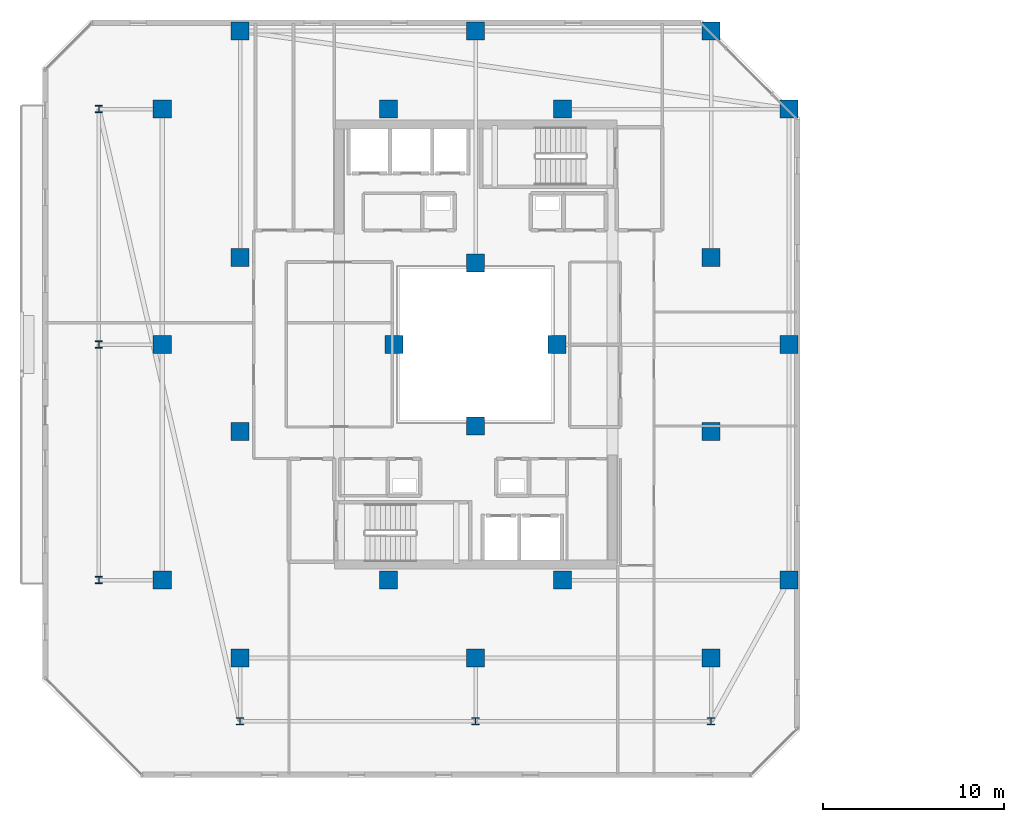
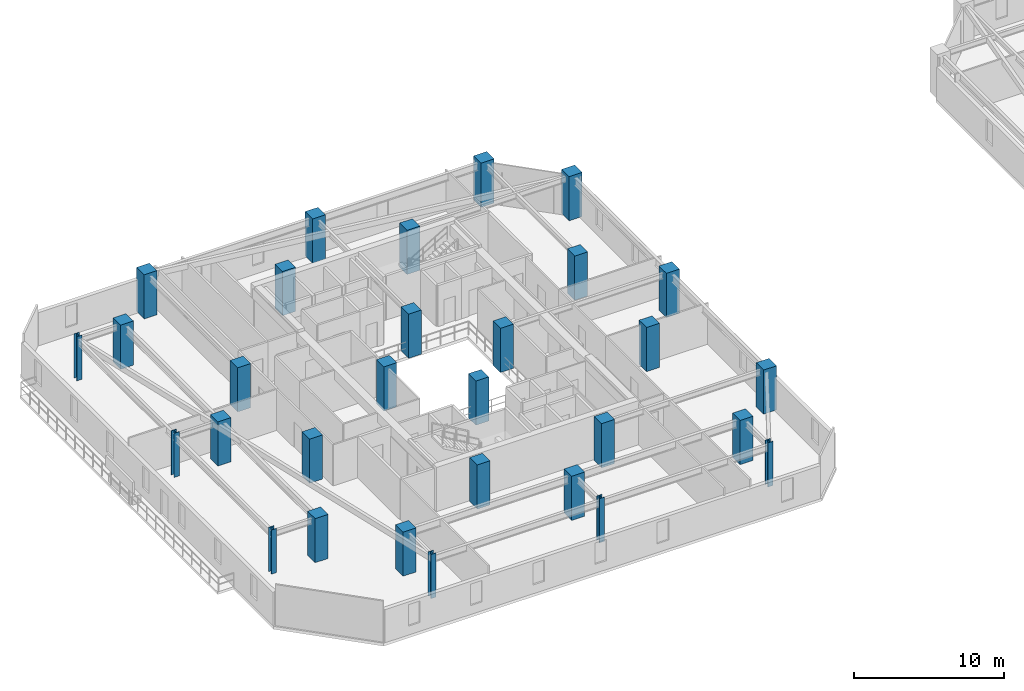
# One storey, part 1 of 32: 30 columns.
"""IFC4 building model written with IfcOpenShell, lengths in metres."""

from ifc_helpers import new_model, si_unit, direction, frame, origin, origin_2d, place, context, subcontext, project, spatial, rectangle, i_section, extrude, material, material_profile, profile_set, type_object, element, save


model = new_model("IFC4")

# Units and contexts
model_context = context("Model", 3, precision=1e-05, world=origin(), true_north=direction((0.0, 1.0)))
body_context = subcontext(model_context, "Body", "Model", "MODEL_VIEW")
ifc_project = project(units=[si_unit("LENGTHUNIT", "METRE"), si_unit("AREAUNIT", "SQUARE_METRE"), si_unit("VOLUMEUNIT", "CUBIC_METRE"), si_unit("PLANEANGLEUNIT", "RADIAN"), si_unit("MASSUNIT", "GRAM", prefix="KILO")], contexts=[model_context])

# Site, building, storey
site_placement = place(None, origin())
site = spatial("IfcSite", under=ifc_project, at=site_placement, CompositionType="ELEMENT")
building_placement = place(site_placement, origin())
building = spatial("IfcBuilding", under=site, at=building_placement, Name="Thornwick Lancets Civic Towers", CompositionType="ELEMENT")
storey_placement = place(building_placement, frame((0.0, 0.0, 240.300048828125)))
storey = spatial("IfcBuildingStorey", under=building, at=storey_placement, Name="L64", CompositionType="ELEMENT", Elevation=240.300048828125)

# Columns
ifc_material_1 = material(Name="Concrete C50/60", Category="concrete")
ifc_material_profile_1 = material_profile(ifc_material_1, rectangle(XDim=1.0, YDim=1.0, at=origin_2d()), Name="RC 1000x1000")
ifc_profile_set_1 = profile_set([ifc_material_profile_1], Name="Concrete C50/60")
column_type_1 = type_object("IfcColumnType", Name="COL_RC_1000", PredefinedType="COLUMN", material=ifc_profile_set_1)
for number, where, z_axis, x_axis, name in (
    (1, (12.5, 9.699951171875, 0.0), (0.0, 0.0, 1.0), (1.0, 0.0, 0.0), "L64 Spine Mega-Column A01"),
    (2, (25.5, 9.699951171875, 0.0), (0.0, 0.0, 1.0), (1.0, 0.0, 0.0), "L64 Spine Mega-Column A02"),
    (3, (38.5, 9.699951171875, 0.0), (0.0, 0.0, 1.0), (1.0, 0.0, 0.0), "L64 Spine Mega-Column A03"),
    (4, (42.800048828125, 14.0, 0.0), (0.0, 0.0, 1.0), (1.0, 0.0, 0.0), "L64 Spine Mega-Column A04"),
    (5, (42.800048828125, 27.0, 0.0), (0.0, 0.0, 1.0), (1.0, 0.0, 0.0), "L64 Spine Mega-Column A05"),
    (6, (42.800048828125, 40.0, 0.0), (0.0, 0.0, 1.0), (1.0, 0.0, 0.0), "L64 Spine Mega-Column A06"),
    (7, (12.5, 44.300048828125, 0.0), (0.0, 0.0, 1.0), (1.0, 0.0, 0.0), "L64 Spine Mega-Column A07"),
    (8, (25.5, 44.300048828125, 0.0), (0.0, 0.0, 1.0), (1.0, 0.0, 0.0), "L64 Spine Mega-Column A08"),
    (9, (38.5, 44.300048828125, 0.0), (0.0, 0.0, 1.0), (1.0, 0.0, 0.0), "L64 Spine Mega-Column A09"),
    (10, (8.199951171875, 14.0, 0.0), (0.0, 0.0, 1.0), (1.0, 0.0, 0.0), "L64 Spine Mega-Column A10"),
    (11, (8.199951171875, 27.0, 0.0), (0.0, 0.0, 1.0), (1.0, 0.0, 0.0), "L64 Spine Mega-Column A11"),
    (12, (8.199951171875, 40.0, 0.0), (0.0, 0.0, 1.0), (1.0, 0.0, 0.0), "L64 Spine Mega-Column A12"),
    (13, (12.5, 22.199951171875, 0.0), (0.0, 0.0, 1.0), (1.0, 0.0, 0.0), "L64 Spine Mega-Column A13"),
    (14, (38.5, 22.199951171875, 0.0), (0.0, 0.0, 1.0), (1.0, 0.0, 0.0), "L64 Spine Mega-Column A14"),
    (15, (12.5, 31.800048828125, 0.0), (0.0, 0.0, 1.0), (1.0, 0.0, 0.0), "L64 Spine Mega-Column A15"),
    (16, (38.5, 31.800048828125, 0.0), (0.0, 0.0, 1.0), (1.0, 0.0, 0.0), "L64 Spine Mega-Column A16"),
    (17, (20.699951171875, 14.0, 0.0), (0.0, 0.0, 1.0), (1.0, 0.0, 0.0), "L64 Spine Mega-Column A17"),
    (18, (30.300048828125, 14.0, 0.0), (0.0, 0.0, 1.0), (1.0, 0.0, 0.0), "L64 Spine Mega-Column A18"),
    (19, (20.699951171875, 40.0, 0.0), (0.0, 0.0, 1.0), (1.0, 0.0, 0.0), "L64 Spine Mega-Column A19"),
    (20, (30.300048828125, 40.0, 0.0), (0.0, 0.0, 1.0), (1.0, 0.0, 0.0), "L64 Spine Mega-Column A20"),
    (21, (25.5, 22.5, 0.0), (0.0, 0.0, 1.0), (1.0, 0.0, 0.0), "L64 Spine Mega-Column A21"),
    (22, (25.5, 31.5, 0.0), (0.0, 0.0, 1.0), (1.0, 0.0, 0.0), "L64 Spine Mega-Column A22"),
    (23, (21.0, 27.0, 0.0), (0.0, 0.0, 1.0), (1.0, 0.0, 0.0), "L64 Spine Mega-Column A23"),
    (24, (30.0, 27.0, 0.0), (0.0, 0.0, 1.0), (1.0, 0.0, 0.0), "L64 Spine Mega-Column A24"),
):
    element("IfcColumn", number, at=place(storey_placement, frame(where, z_axis=z_axis, x_axis=x_axis)), inside=storey, type_object=column_type_1, Name=name, PredefinedType="COLUMN", context=body_context, shape_type="SweptSolid", body=[
        extrude(rectangle(XDim=1.0, YDim=1.0, at=origin_2d()), origin(), (0.0, 0.0, 1.0), 3.599853515625),
    ])
ifc_material_2 = material(Name="Steel S355JR", Category="steel")
ifc_material_profile_2 = material_profile(ifc_material_2, i_section(OverallWidth=0.39892578125, OverallDepth=0.3935546875, WebThickness=0.022705078125, FlangeThickness=0.03662109375, FilletRadius=0.01513671875, at=origin_2d()), Name="UKC 356x406x287")
ifc_profile_set_2 = profile_set([ifc_material_profile_2], Name="Steel S355JR")
column_type_2 = type_object("IfcColumnType", Name="COL_UKC_287", PredefinedType="COLUMN", material=ifc_profile_set_2)
for number, where, z_axis, x_axis, name in (
    (25, (12.5, 6.199951171875, 0.0), (0.0, 0.0, 1.0), (1.0, 0.0, 0.0), "L64 Block Perimeter Column A01"),
    (26, (25.5, 6.199951171875, 0.0), (0.0, 0.0, 1.0), (1.0, 0.0, 0.0), "L64 Block Perimeter Column A02"),
    (27, (38.5, 6.199951171875, 0.0), (0.0, 0.0, 1.0), (1.0, 0.0, 0.0), "L64 Block Perimeter Column A03"),
    (28, (4.699951171875, 14.0, 0.0), (0.0, 0.0, 1.0), (1.0, 0.0, 0.0), "L64 Block Perimeter Column A10"),
    (29, (4.699951171875, 27.0, 0.0), (0.0, 0.0, 1.0), (1.0, 0.0, 0.0), "L64 Block Perimeter Column A11"),
    (30, (4.699951171875, 40.0, 0.0), (0.0, 0.0, 1.0), (1.0, 0.0, 0.0), "L64 Block Perimeter Column A12"),
):
    element("IfcColumn", number, at=place(storey_placement, frame(where, z_axis=z_axis, x_axis=x_axis)), inside=storey, type_object=column_type_2, Name=name, PredefinedType="COLUMN", context=body_context, shape_type="SweptSolid", body=[
        extrude(i_section(OverallWidth=0.39892578125, OverallDepth=0.3935546875, WebThickness=0.022705078125, FlangeThickness=0.03662109375, FilletRadius=0.01513671875, at=origin_2d()), origin(), (0.0, 0.0, 1.0), 3.599853515625),
    ])

save(model, "model.ifc")
